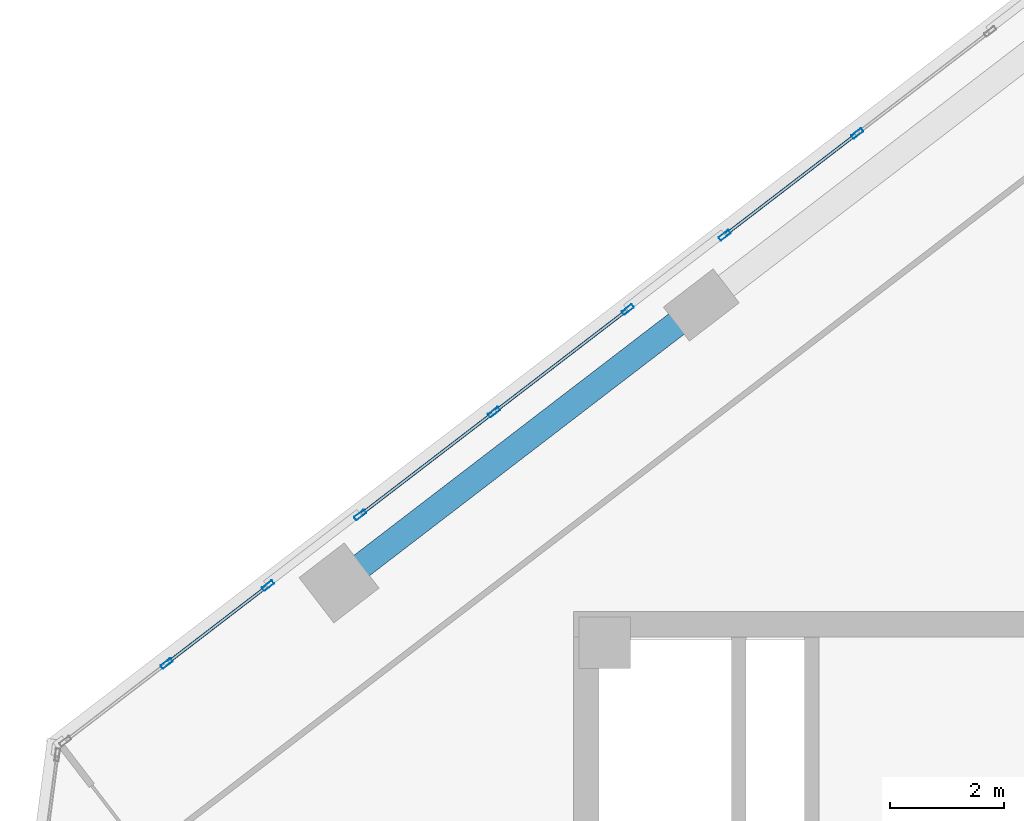
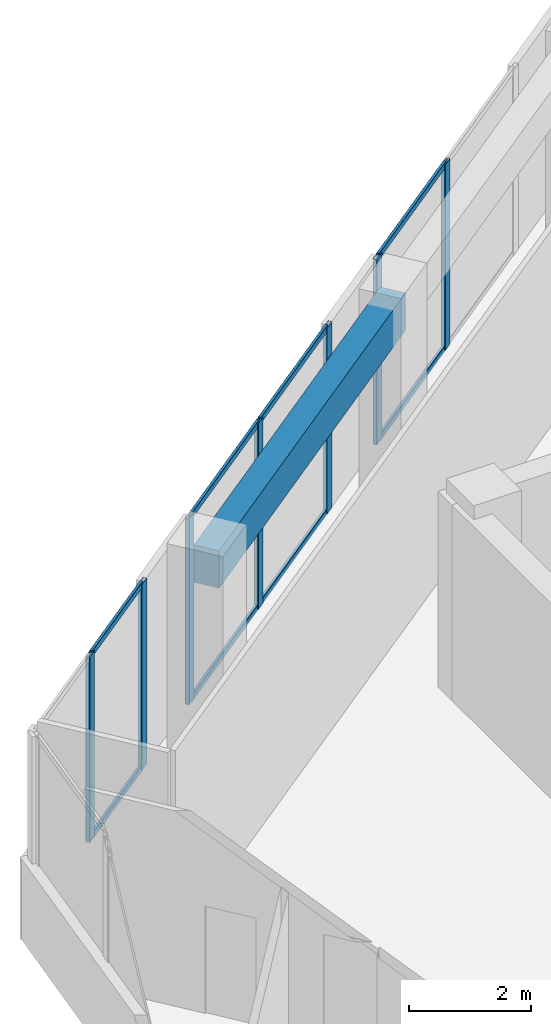
# One storey, part 8 of 17: 15 members, 1 beam, 3 elements without a shape of their own.
"""IFC4 building model written with IfcOpenShell, lengths in metres."""

import ifcopenshell
import ifcopenshell.guid

model = None  # the IFC model being written
_history = None  # IfcOwnerHistory: only IFC2X3 demands one
_inside = {}  # id of a spatial element -> (the spatial element, [elements in it])
_under = {}  # id of a project, library or spatial element -> (it, [spatial elements below it])
_declared = {}  # id of a project -> (the project, [libraries it declares])
_typed = {}  # id of a type object -> (the type object, [elements of that type])
_made_of = {}  # id of a material, layer set ... -> (it, [elements and type objects made of it])


def new_model(schema):
    """Start an empty IFC model of exactly this schema.

    Asked for "IFC4X3", IfcOpenShell would pick the latest addendum, in which some entities
    have other attributes; the version numbers below select the first issue.
    IFC2X3 requires an IfcOwnerHistory on every rooted entity: one is made here for all.
    """
    global model, _history
    if schema == "IFC4X3":
        model = ifcopenshell.file(schema_version=(4, 3, 0, 0))
    else:
        model = ifcopenshell.file(schema=schema)
    _inside.clear()
    _under.clear()
    _declared.clear()
    _typed.clear()
    _made_of.clear()
    _history = None
    if model.schema == "IFC2X3":
        org = make("IfcOrganization", Name="unknown")
        user = make(
            "IfcPersonAndOrganization",
            ThePerson=make("IfcPerson", FamilyName="unknown"),
            TheOrganization=org,
        )
        app = make(
            "IfcApplication",
            ApplicationDeveloper=org,
            Version="unknown",
            ApplicationFullName="unknown",
            ApplicationIdentifier="unknown",
        )
        _history = make(
            "IfcOwnerHistory",
            OwningUser=user,
            OwningApplication=app,
            ChangeAction="ADDED",
            CreationDate=0,
        )
    return model


def make(cls, **values):
    """One entity of the class cls with the attributes given. An attribute that is None is left unset."""
    return model.create_entity(
        cls, **{name: value for name, value in values.items() if value is not None}
    )


def rooted(cls, **values):
    """An entity with a GlobalId (a new one), such as an element, a storey or a relation."""
    return make(cls, GlobalId=ifcopenshell.guid.new(), OwnerHistory=_history, **values)


def si_unit(unit_type, name, prefix=None):
    """IfcSIUnit, for example si_unit("LENGTHUNIT", "METRE", prefix="MILLI")."""
    return make("IfcSIUnit", UnitType=unit_type, Prefix=prefix, Name=name)


def assignment(units):
    """IfcUnitAssignment: the units of a project."""
    return None if units is None else make("IfcUnitAssignment", Units=units)


def point(xyz):
    """IfcCartesianPoint."""
    return None if xyz is None else make("IfcCartesianPoint", Coordinates=xyz)


def direction(xyz):
    """IfcDirection."""
    return None if xyz is None else make("IfcDirection", DirectionRatios=xyz)


def frame(location, z_axis=None, x_axis=None):
    """IfcAxis2Placement3D, a coordinate frame: its origin and axes. An axis left out is left unset."""
    return make(
        "IfcAxis2Placement3D",
        Location=point(location),
        Axis=direction(z_axis),
        RefDirection=direction(x_axis),
    )


def frame_2d(location, x_axis=None):
    """IfcAxis2Placement2D, a coordinate frame in the plane: its origin and x axis."""
    return make(
        "IfcAxis2Placement2D", Location=point(location), RefDirection=direction(x_axis)
    )


def origin():
    """The frame at (0, 0, 0) with its axes left unset."""
    return frame((0.0, 0.0, 0.0))


def origin_2d():
    """The frame at (0, 0) in the plane with its x axis left unset."""
    return frame_2d((0.0, 0.0))


def place(relative_to, where):
    """IfcLocalPlacement: puts the frame where relative to a parent placement (None: the world)."""
    return make(
        "IfcLocalPlacement", PlacementRelTo=relative_to, RelativePlacement=where
    )


def context(
    kind, dimensions, precision=None, world=None, true_north=None, identifier=None
):
    """IfcGeometricRepresentationContext, for example the 3D "Model" context."""
    return make(
        "IfcGeometricRepresentationContext",
        ContextIdentifier=identifier,
        ContextType=kind,
        CoordinateSpaceDimension=dimensions,
        Precision=precision,
        WorldCoordinateSystem=world,
        TrueNorth=true_north,
    )


def subcontext(parent, identifier, kind, view, scale=None):
    """IfcGeometricRepresentationSubContext, for example "Body" below "Model"."""
    return make(
        "IfcGeometricRepresentationSubContext",
        ContextIdentifier=identifier,
        ContextType=kind,
        ParentContext=parent,
        TargetScale=scale,
        TargetView=view,
    )


def project(units=None, contexts=None):
    """IfcProject with its units and contexts."""
    return rooted(
        "IfcProject",
        Name="project",
        RepresentationContexts=contexts,
        UnitsInContext=assignment(units),
    )


def spatial(cls, under=None, at=None, **own):
    """A site, building, storey or space (cls), placed at a placement, below another one or the project."""
    s = rooted(cls, ObjectPlacement=at, **own)
    if under is not None:
        _under.setdefault(under.id(), (under, []))[1].append(s)
    return s


def profile(cls, at=None, kind="AREA", **sizes):
    """A parametric profile (cls). Its sizes go by their IFC names, for example OverallWidth=200.0."""
    return make(cls, ProfileType=kind, Position=at, **sizes)


def rectangle(**sizes):
    """IfcRectangleProfileDef."""
    return profile("IfcRectangleProfileDef", **sizes)


def hollow_rectangle(**sizes):
    """IfcRectangleHollowProfileDef."""
    return profile("IfcRectangleHollowProfileDef", **sizes)


def extrude(swept, where, along, depth):
    """IfcExtrudedAreaSolid: the profile swept, set in the frame where, extruded along a direction by depth."""
    return make(
        "IfcExtrudedAreaSolid",
        SweptArea=swept,
        Position=where,
        ExtrudedDirection=direction(along),
        Depth=depth,
    )


def shape(context_of_items, identifier, shape_type, items):
    """IfcShapeRepresentation: the items that make up one representation, for example the "Body"."""
    return make(
        "IfcShapeRepresentation",
        ContextOfItems=context_of_items,
        RepresentationIdentifier=identifier,
        RepresentationType=shape_type,
        Items=items,
    )


def source(mapping_origin, context_of_items, identifier, shape_type, items):
    """IfcRepresentationMap: a shape defined once, which mapped items show again and again."""
    return make(
        "IfcRepresentationMap",
        MappingOrigin=mapping_origin,
        MappedRepresentation=shape(context_of_items, identifier, shape_type, items),
    )


def transform(
    local_origin,
    x_axis=None,
    y_axis=None,
    z_axis=None,
    scale=None,
    scale2=None,
    scale3=None,
    uniform=True,
):
    """IfcCartesianTransformationOperator3D, or its non-uniform kind. x_axis, y_axis, z_axis: its Axis1, 2, 3."""
    if uniform:
        return make(
            "IfcCartesianTransformationOperator3D",
            Axis1=direction(x_axis),
            Axis2=direction(y_axis),
            LocalOrigin=point(local_origin),
            Scale=scale,
            Axis3=direction(z_axis),
        )
    return make(
        "IfcCartesianTransformationOperator3DnonUniform",
        Axis1=direction(x_axis),
        Axis2=direction(y_axis),
        LocalOrigin=point(local_origin),
        Scale=scale,
        Axis3=direction(z_axis),
        Scale2=scale2,
        Scale3=scale3,
    )


def mapped(mapping_source, mapping_target):
    """IfcMappedItem: shows the shape of a source again, moved by a transform."""
    return make(
        "IfcMappedItem", MappingSource=mapping_source, MappingTarget=mapping_target
    )


def material(Name=None, Category=None):
    """IfcMaterial."""
    return make("IfcMaterial", Name=Name, Category=Category)


def material_profile(
    of_material, cross_section, Name=None, Category=None, Priority=None
):
    """IfcMaterialProfile: a cross section and its material."""
    return make(
        "IfcMaterialProfile",
        Name=Name,
        Material=of_material,
        Profile=cross_section,
        Priority=Priority,
        Category=Category,
    )


def profile_set(profiles, Name=None, composite=None):
    """IfcMaterialProfileSet."""
    return make(
        "IfcMaterialProfileSet",
        Name=Name,
        MaterialProfiles=profiles,
        CompositeProfile=composite,
    )


def made_of(thing, what):
    """Note that an element or type object is made of a material, layer set ...; save() writes the relation."""
    if what is not None:
        _made_of.setdefault(what.id(), (what, []))[1].append(thing)
    return thing


def type_object(cls, material=None, **own):
    """A type object (cls), such as IfcWallType, which elements share."""
    return made_of(rooted(cls, **own), material)


def element(
    cls,
    number,
    at=None,
    inside=None,
    cuts=None,
    type_object=None,
    material=None,
    context=None,
    identifier="Body",
    shape_type=None,
    held_by="IfcProductDefinitionShape",
    body=None,
    shapes=None,
    **own,
):
    """One element of the class cls, such as IfcWall. Its Tag is "e" and its number.

    at: its placement. inside: the storey or other place that contains it. cuts: it is an
    opening in that element (IfcRelVoidsElement). A single representation is given by context,
    identifier, shape_type and body (its items); several are given by shapes. held_by: the class
    of the entity that holds the representations. save() writes the other relations.
    """
    e = rooted(cls, Tag="e%d" % number, ObjectPlacement=at, **own)
    if body is not None:
        shapes = [shape(context, identifier, shape_type, body)]
    if shapes is not None:
        e.Representation = make(held_by, Representations=shapes)
    if inside is not None:
        _inside.setdefault(inside.id(), (inside, []))[1].append(e)
    if cuts is not None:
        rooted(
            "IfcRelVoidsElement", RelatingBuildingElement=cuts, RelatedOpeningElement=e
        )
    if type_object is not None:
        _typed.setdefault(type_object.id(), (type_object, []))[1].append(e)
    return made_of(e, material)


def aggregate(whole, parts):
    """IfcRelAggregates: a whole, such as a stair, and the parts it consists of."""
    return rooted("IfcRelAggregates", RelatingObject=whole, RelatedObjects=parts)


def save(model, path):
    """Write the relations noted so far, then the file.

    IfcRelAggregates (storeys below a building ...), IfcRelContainedInSpatialStructure (elements
    in a storey), IfcRelDefinesByType, IfcRelAssociatesMaterial and IfcRelDeclares: one each for
    every whole, place, type object, material and project.
    """
    for whole, parts in _under.values():
        aggregate(whole, parts)
    for where, things in _inside.values():
        rooted(
            "IfcRelContainedInSpatialStructure",
            RelatedElements=things,
            RelatingStructure=where,
        )
    for kind, things in _typed.values():
        rooted("IfcRelDefinesByType", RelatedObjects=things, RelatingType=kind)
    for what, things in _made_of.values():
        rooted("IfcRelAssociatesMaterial", RelatedObjects=things, RelatingMaterial=what)
    for by, libraries in _declared.values():
        rooted("IfcRelDeclares", RelatingContext=by, RelatedDefinitions=libraries)
    model.write(path)


model = new_model("IFC4")

# Units and contexts
model_context = context("Model", 3, precision=1e-05, world=origin(), true_north=direction((0.0, 1.0)))
body_context = subcontext(model_context, "Body", "Model", "MODEL_VIEW")
ifc_project = project(units=[si_unit("LENGTHUNIT", "METRE"), si_unit("AREAUNIT", "SQUARE_METRE"), si_unit("VOLUMEUNIT", "CUBIC_METRE"), si_unit("PLANEANGLEUNIT", "RADIAN"), si_unit("MASSUNIT", "GRAM", prefix="KILO")], contexts=[model_context])

# Site, building, storey
site_placement = place(None, origin())
site = spatial("IfcSite", under=ifc_project, at=site_placement, CompositionType="ELEMENT")
building_placement = place(site_placement, origin())
building = spatial("IfcBuilding", under=site, at=building_placement, Name="Torre Montelarca", CompositionType="ELEMENT")
storey_placement = place(building_placement, frame((0.0, 0.0, 283.60009765625)))
storey = spatial("IfcBuildingStorey", under=building, at=storey_placement, Name="L64", CompositionType="ELEMENT", Elevation=283.60009765625)

# Beam
ifc_material_1 = material(Name="Concrete C55/67", Category="concrete")
ifc_material_profile_1 = material_profile(ifc_material_1, rectangle(XDim=0.449951171875, YDim=0.75, at=origin_2d()), Name="RCB450X750", Category="concrete")
ifc_profile_set_1 = profile_set([ifc_material_profile_1], Name="Concrete C55/67")
beam_type = type_object("IfcBeamType", Name="BM-SP-RC750-EXT", PredefinedType="SPANDREL", material=ifc_profile_set_1)
shared_shape_1 = source(origin(), body_context, "Body", "SweptSolid", [
    extrude(rectangle(XDim=0.449951171875, YDim=0.75, at=origin_2d()), origin(), (0.0, 0.0, 1.0), 8.0),
])
beam_placement = place(storey_placement, frame((4.8955078125, 40.497802734375, 3.544921875), z_axis=(0.793356283694, 0.608757593073, 0.0), x_axis=(-0.608757593073, 0.793356283694, 0.0)))
element("IfcBeam", 1, at=beam_placement, inside=storey, type_object=beam_type, Name="L64 Grid Girder Y 24.0-32.0 at X=4.7", PredefinedType="SPANDREL", context=body_context, shape_type="MappedRepresentation", body=[
    mapped(shared_shape_1, transform((0.0, 0.0, 0.0), scale=1.0)),
])

# Curtain wall, members
ifc_material_2 = material(Name="Insulated low-E laminated glass", Category="glass")
curtain_wall_type = type_object("IfcCurtainWallType", Name="CW-SYS-Z3", PredefinedType="USERDEFINED", material=ifc_material_2)
curtain_wall_1_placement = place(storey_placement, origin())
curtain_wall_1 = element("IfcCurtainWall", 2, at=curtain_wall_1_placement, inside=storey, type_object=curtain_wall_type, Name="L64 Curtain Wall Run CW-T3-L64-E10-B1", ObjectType="UNITISED GLAZING", PredefinedType="USERDEFINED")
ifc_material_3 = material(Name="Anodised aluminium AA 6063-T6", Category="aluminium")
ifc_material_profile_2 = material_profile(ifc_material_3, hollow_rectangle(XDim=0.074951171875, YDim=0.219970703125, WallThickness=0.0048828125, InnerFilletRadius=0.0048828125, OuterFilletRadius=0.010009765625, at=origin_2d()), Name="ALU75X220X5", Category="aluminium")
ifc_profile_set_2 = profile_set([ifc_material_profile_2], Name="Anodised aluminium AA 6063-T6")
member_type_1 = type_object("IfcMemberType", Name="CWM-ALU220", PredefinedType="MULLION", material=ifc_profile_set_2)
shared_shape_2 = source(origin(), body_context, "Body", "SweptSolid", [
    extrude(hollow_rectangle(XDim=0.074951171875, YDim=0.219970703125, WallThickness=0.0048828125, InnerFilletRadius=0.0048828125, OuterFilletRadius=0.010009765625, at=origin_2d()), origin(), (0.0, 0.0, 1.0), 3.719970703125),
])
member_1_placement = place(storey_placement, frame((13.9775390625, 48.374267578125, 0.0), z_axis=(0.0, 0.0, 1.0), x_axis=(0.608769012502, -0.793347521215, 0.0)))
member_1 = element("IfcMember", 3, at=member_1_placement, type_object=member_type_1, Name="CW mullion 2", PredefinedType="MULLION", context=body_context, shape_type="MappedRepresentation", body=[
    mapped(shared_shape_2, transform((0.0, 0.0, 0.0), scale=1.0)),
])
member_2_placement = place(storey_placement, frame((11.65087890625, 46.589111328125, 0.0), z_axis=(0.0, 0.0, 1.0), x_axis=(0.608769012502, -0.793347521215, 0.0)))
member_2 = element("IfcMember", 4, at=member_2_placement, type_object=member_type_1, Name="CW mullion 3", PredefinedType="MULLION", context=body_context, shape_type="MappedRepresentation", body=[
    mapped(shared_shape_2, transform((0.0, 0.0, 0.0), scale=1.0)),
])

curtain_wall_2_placement = place(storey_placement, origin())
curtain_wall_2 = element("IfcCurtainWall", 5, at=curtain_wall_2_placement, inside=storey, type_object=curtain_wall_type, Name="L64 Curtain Wall Run CW-T3-L64-E10-B2", ObjectType="UNITISED GLAZING", PredefinedType="USERDEFINED")
member_3_placement = place(storey_placement, frame((9.95703125, 45.289306640625, 0.0), z_axis=(0.0, 0.0, 1.0), x_axis=(0.60877284934, -0.793344577032, 0.0)))
member_3 = element("IfcMember", 6, at=member_3_placement, type_object=member_type_1, Name="CW mullion 1", PredefinedType="MULLION", context=body_context, shape_type="MappedRepresentation", body=[
    mapped(shared_shape_2, transform((0.0, 0.0, 0.0), scale=1.0)),
])
member_4_placement = place(storey_placement, frame((7.61083984375, 43.489013671875, 0.0), z_axis=(0.0, 0.0, 1.0), x_axis=(0.60877284934, -0.793344577032, 0.0)))
member_4 = element("IfcMember", 7, at=member_4_placement, type_object=member_type_1, Name="CW mullion 2", PredefinedType="MULLION", context=body_context, shape_type="MappedRepresentation", body=[
    mapped(shared_shape_2, transform((0.0, 0.0, 0.0), scale=1.0)),
])
member_5_placement = place(storey_placement, frame((5.264404296875, 41.6884765625, 0.0), z_axis=(0.0, 0.0, 1.0), x_axis=(0.60877284934, -0.793344577032, 0.0)))
member_5 = element("IfcMember", 8, at=member_5_placement, type_object=member_type_1, Name="CW mullion 3", PredefinedType="MULLION", context=body_context, shape_type="MappedRepresentation", body=[
    mapped(shared_shape_2, transform((0.0, 0.0, 0.0), scale=1.0)),
])

curtain_wall_3_placement = place(storey_placement, origin())
curtain_wall_3 = element("IfcCurtainWall", 9, at=curtain_wall_3_placement, inside=storey, type_object=curtain_wall_type, Name="L64 Curtain Wall Run CW-T3-L64-E10-B3", ObjectType="UNITISED GLAZING", PredefinedType="USERDEFINED")
member_6_placement = place(storey_placement, frame((3.650146484375, 40.44970703125, 0.0), z_axis=(0.0, 0.0, 1.0), x_axis=(0.608757401695, -0.793356430541, 0.0)))
member_6 = element("IfcMember", 10, at=member_6_placement, type_object=member_type_1, Name="CW mullion 1", PredefinedType="MULLION", context=body_context, shape_type="MappedRepresentation", body=[
    mapped(shared_shape_2, transform((0.0, 0.0, 0.0), scale=1.0)),
])
member_7_placement = place(storey_placement, frame((1.873291015625, 39.086181640625, 0.0), z_axis=(0.0, 0.0, 1.0), x_axis=(0.608757401695, -0.793356430541, 0.0)))
member_7 = element("IfcMember", 11, at=member_7_placement, type_object=member_type_1, Name="CW mullion 2", PredefinedType="MULLION", context=body_context, shape_type="MappedRepresentation", body=[
    mapped(shared_shape_2, transform((0.0, 0.0, 0.0), scale=1.0)),
])

# Member
ifc_material_profile_3 = material_profile(ifc_material_3, hollow_rectangle(XDim=0.054931640625, YDim=0.1201171875, WallThickness=0.00341796875, InnerFilletRadius=0.00341796875, OuterFilletRadius=0.007080078125, at=origin_2d()), Name="ALU55X120X3.5", Category="aluminium")
ifc_profile_set_3 = profile_set([ifc_material_profile_3], Name="Anodised aluminium AA 6063-T6")
member_type_2 = type_object("IfcMemberType", Name="CWT-ALU120", PredefinedType="USERDEFINED", material=ifc_profile_set_3)
shared_shape_3 = source(origin(), body_context, "Body", "SweptSolid", [
    extrude(hollow_rectangle(XDim=0.054931640625, YDim=0.1201171875, WallThickness=0.00341796875, InnerFilletRadius=0.00341796875, OuterFilletRadius=0.007080078125, at=origin_2d()), origin(), (0.0, 0.0, 1.0), 2.857666015625),
])
member_8_placement = place(storey_placement, frame((13.94775390625, 48.351318359375, 0.02734375), z_axis=(-0.793369779608, -0.608740004276, 0.0), x_axis=(0.608740004276, -0.793369779608, 0.0)))
member_8 = element("IfcMember", 12, at=member_8_placement, type_object=member_type_2, Name="CW transom 2.1", ObjectType="TRANSOM", PredefinedType="USERDEFINED", context=body_context, shape_type="MappedRepresentation", body=[
    mapped(shared_shape_3, transform((0.0, 0.0, 0.0), scale=1.0)),
])

member_9_placement = place(storey_placement, frame((13.94775390625, 48.351318359375, 3.6923828125), z_axis=(-0.793369779608, -0.608740004276, 0.0), x_axis=(0.608740004276, -0.793369779608, 0.0)))
member_9 = element("IfcMember", 13, at=member_9_placement, type_object=member_type_2, Name="CW transom 2.2", ObjectType="TRANSOM", PredefinedType="USERDEFINED", context=body_context, shape_type="MappedRepresentation", body=[
    mapped(shared_shape_3, transform((0.0, 0.0, 0.0), scale=1.0)),
])

aggregate(curtain_wall_1, [member_1, member_2, member_8, member_9])

shared_shape_4 = source(origin(), body_context, "Body", "SweptSolid", [
    extrude(hollow_rectangle(XDim=0.054931640625, YDim=0.1201171875, WallThickness=0.00341796875, InnerFilletRadius=0.00341796875, OuterFilletRadius=0.007080078125, at=origin_2d()), origin(), (0.0, 0.0, 1.0), 2.882568359375),
])
member_10_placement = place(storey_placement, frame((9.927490234375, 45.2666015625, 0.02734375), z_axis=(-0.793335010529, -0.608785316076, 0.0), x_axis=(0.608785316076, -0.793335010529, 0.0)))
member_10 = element("IfcMember", 14, at=member_10_placement, type_object=member_type_2, Name="CW transom 1.1", ObjectType="TRANSOM", PredefinedType="USERDEFINED", context=body_context, shape_type="MappedRepresentation", body=[
    mapped(shared_shape_4, transform((0.0, 0.0, 0.0), scale=1.0)),
])

member_11_placement = place(storey_placement, frame((9.927490234375, 45.2666015625, 3.6923828125), z_axis=(-0.793335010529, -0.608785316076, 0.0), x_axis=(0.608785316076, -0.793335010529, 0.0)))
member_11 = element("IfcMember", 15, at=member_11_placement, type_object=member_type_2, Name="CW transom 1.2", ObjectType="TRANSOM", PredefinedType="USERDEFINED", context=body_context, shape_type="MappedRepresentation", body=[
    mapped(shared_shape_4, transform((0.0, 0.0, 0.0), scale=1.0)),
])

member_12_placement = place(storey_placement, frame((7.5810546875, 43.466064453125, 0.02734375), z_axis=(-0.793335010529, -0.608785316076, 0.0), x_axis=(0.608785316076, -0.793335010529, 0.0)))
member_12 = element("IfcMember", 16, at=member_12_placement, type_object=member_type_2, Name="CW transom 2.1", ObjectType="TRANSOM", PredefinedType="USERDEFINED", context=body_context, shape_type="MappedRepresentation", body=[
    mapped(shared_shape_4, transform((0.0, 0.0, 0.0), scale=1.0)),
])

member_13_placement = place(storey_placement, frame((7.5810546875, 43.466064453125, 3.6923828125), z_axis=(-0.793335010529, -0.608785316076, 0.0), x_axis=(0.608785316076, -0.793335010529, 0.0)))
member_13 = element("IfcMember", 17, at=member_13_placement, type_object=member_type_2, Name="CW transom 2.2", ObjectType="TRANSOM", PredefinedType="USERDEFINED", context=body_context, shape_type="MappedRepresentation", body=[
    mapped(shared_shape_4, transform((0.0, 0.0, 0.0), scale=1.0)),
])

aggregate(curtain_wall_2, [member_3, member_4, member_5, member_10, member_11, member_12, member_13])

shared_shape_5 = source(origin(), body_context, "Body", "SweptSolid", [
    extrude(hollow_rectangle(XDim=0.054931640625, YDim=0.1201171875, WallThickness=0.00341796875, InnerFilletRadius=0.00341796875, OuterFilletRadius=0.007080078125, at=origin_2d()), origin(), (0.0, 0.0, 1.0), 2.16455078125),
])
member_14_placement = place(storey_placement, frame((3.620361328125, 40.4267578125, 0.02734375), z_axis=(-0.793373932835, -0.608734591343, 0.0), x_axis=(0.608734591343, -0.793373932835, 0.0)))
member_14 = element("IfcMember", 18, at=member_14_placement, type_object=member_type_2, Name="CW transom 1.1", ObjectType="TRANSOM", PredefinedType="USERDEFINED", context=body_context, shape_type="MappedRepresentation", body=[
    mapped(shared_shape_5, transform((0.0, 0.0, 0.0), scale=1.0)),
])

member_15_placement = place(storey_placement, frame((3.620361328125, 40.4267578125, 3.6923828125), z_axis=(-0.793373932835, -0.608734591343, 0.0), x_axis=(0.608734591343, -0.793373932835, 0.0)))
member_15 = element("IfcMember", 19, at=member_15_placement, type_object=member_type_2, Name="CW transom 1.2", ObjectType="TRANSOM", PredefinedType="USERDEFINED", context=body_context, shape_type="MappedRepresentation", body=[
    mapped(shared_shape_5, transform((0.0, 0.0, 0.0), scale=1.0)),
])

aggregate(curtain_wall_3, [member_6, member_7, member_14, member_15])

save(model, "model.ifc")
